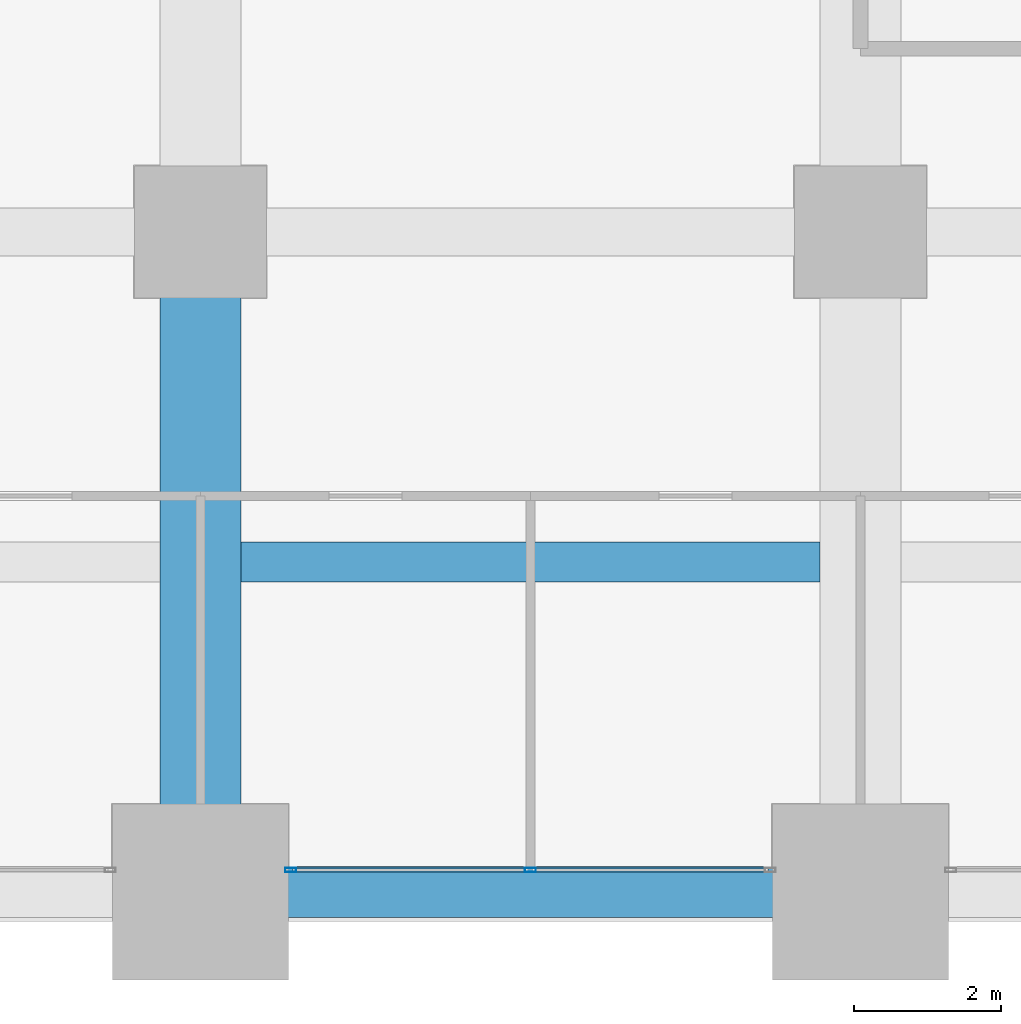
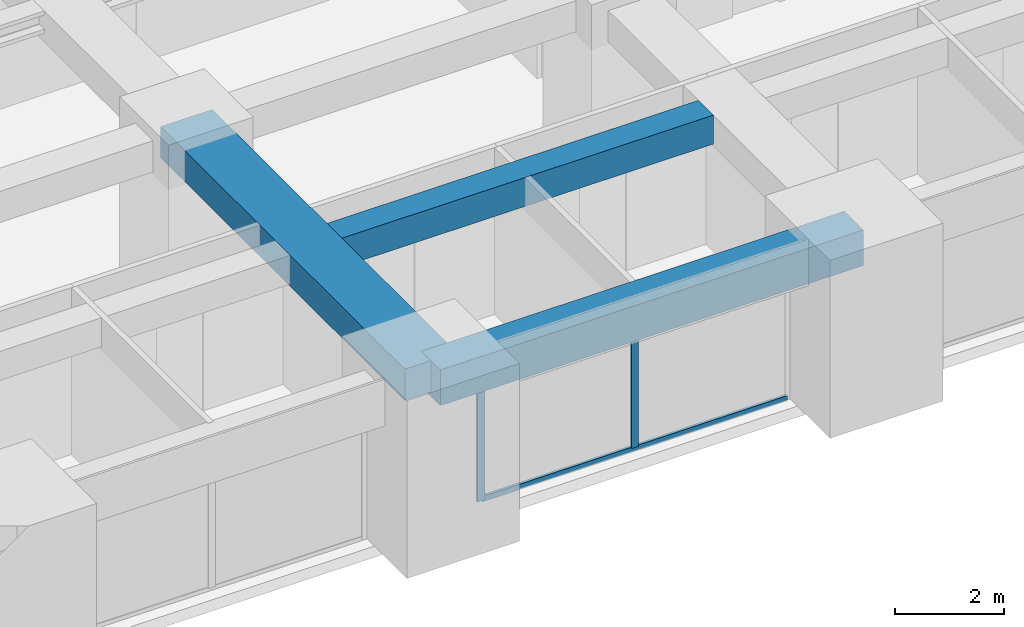
# One storey, part 7 of 40: 3 beams, 3 members, 1 element without a shape of its own.
"""IFC4 building model written with IfcOpenShell, lengths in metres."""

from ifc_helpers import new_model, si_unit, direction, frame, origin, origin_2d, place, context, subcontext, project, spatial, rectangle, hollow_rectangle, extrude, material, material_profile, profile_set, type_object, element, aggregate, save


model = new_model("IFC4")

# Units and contexts
model_context = context("Model", 3, precision=1e-05, world=origin(), true_north=direction((0.0, 1.0)))
body_context = subcontext(model_context, "Body", "Model", "MODEL_VIEW")
ifc_project = project(units=[si_unit("LENGTHUNIT", "METRE"), si_unit("AREAUNIT", "SQUARE_METRE"), si_unit("VOLUMEUNIT", "CUBIC_METRE"), si_unit("PLANEANGLEUNIT", "RADIAN"), si_unit("MASSUNIT", "GRAM", prefix="KILO")], contexts=[model_context])

# Site, building, storey
site_placement = place(None, origin())
site = spatial("IfcSite", under=ifc_project, at=site_placement, CompositionType="ELEMENT")
building_placement = place(site_placement, origin())
building = spatial("IfcBuilding", under=site, at=building_placement, Name="Zorevar Civic Tower", CompositionType="ELEMENT")
storey_placement = place(building_placement, frame((0.0, 0.0, 129.0)))
storey = spatial("IfcBuildingStorey", under=building, at=storey_placement, Name="L31", CompositionType="ELEMENT", Elevation=129.0)

# Beams
ifc_material_1 = material(Name="Concrete C50/60", Category="concrete")
ifc_material_profile_1 = material_profile(ifc_material_1, rectangle(XDim=1.10009765625, YDim=0.699951171875, at=origin_2d()), Name="RC 1100x700")
ifc_profile_set_1 = profile_set([ifc_material_profile_1], Name="Concrete C50/60")
beam_type_1 = type_object("IfcBeamType", Name="Beam RC 1100x700", PredefinedType="BEAM", material=ifc_profile_set_1)
beam_1_placement = place(storey_placement, frame((27.0, 0.0, 3.39990234375), z_axis=(0.0, 1.0, 0.0), x_axis=(-1.0, 0.0, 0.0)))
element("IfcBeam", 1, at=beam_1_placement, inside=storey, type_object=beam_type_1, Name="Girder L32", PredefinedType="BEAM", context=body_context, shape_type="SweptSolid", body=[
    extrude(rectangle(XDim=1.10009765625, YDim=0.699951171875, at=origin_2d()), origin(), (0.0, 0.0, 1.0), 9.0),
])
ifc_material_2 = material(Name="Concrete C50/60", Category="concrete")
ifc_material_profile_2 = material_profile(ifc_material_2, rectangle(XDim=0.550048828125, YDim=0.64990234375, at=origin_2d()), Name="RC 550x650")
ifc_profile_set_2 = profile_set([ifc_material_profile_2], Name="Concrete C50/60")
beam_type_2 = type_object("IfcBeamType", Name="Beam RC 550x650", PredefinedType="BEAM", material=ifc_profile_set_2)
beam_2_placement = place(storey_placement, frame((27.550048828125, 4.5, 3.425048828125), z_axis=(1.0, 0.0, 0.0), x_axis=(0.0, 1.0, 0.0)))
element("IfcBeam", 2, at=beam_2_placement, inside=storey, type_object=beam_type_2, Name="Secondary beam L32", PredefinedType="BEAM", context=body_context, shape_type="SweptSolid", body=[
    extrude(rectangle(XDim=0.550048828125, YDim=0.64990234375, at=origin_2d()), origin(), (0.0, 0.0, 1.0), 7.89990234375),
])

# Curtain wall, members
ifc_material_3 = material(Name="Dark grey solar-control glass in black aluminium frame", Category="aluminium")
curtain_wall_type = type_object("IfcCurtainWallType", Name="Curtain wall CW3 mid zone", PredefinedType="NOTDEFINED", material=ifc_material_3)
curtain_wall_placement = place(storey_placement, origin())
curtain_wall = element("IfcCurtainWall", 3, at=curtain_wall_placement, inside=storey, type_object=curtain_wall_type, Name="CW3 L31", PredefinedType="NOTDEFINED")
ifc_material_4 = material(Name="Aluminium, black anodised", Category="aluminium")
ifc_material_profile_3 = material_profile(ifc_material_4, hollow_rectangle(XDim=0.06005859375, YDim=0.14990234375, WallThickness=0.00390625, at=origin_2d()), Name="AL 150x60x4")
ifc_profile_set_3 = profile_set([ifc_material_profile_3], Name="Aluminium, black anodised")
member_type_1 = type_object("IfcMemberType", Name="CW3 mullion AL 150x60x4", PredefinedType="MULLION", material=ifc_profile_set_3)
member_1_placement = place(storey_placement, frame((28.22998046875, 0.300048828125, 0.0), z_axis=(0.0, 0.0, 1.0), x_axis=(0.0, 1.0, 0.0)))
member_1 = element("IfcMember", 4, at=member_1_placement, type_object=member_type_1, Name="CW3 mullion 1", PredefinedType="MULLION", context=body_context, shape_type="SweptSolid", body=[
    extrude(hollow_rectangle(XDim=0.06005859375, YDim=0.14990234375, WallThickness=0.00390625, at=origin_2d()), origin(), (0.0, 0.0, 1.0), 2.949951171875),
])
member_2_placement = place(storey_placement, frame((31.5, 0.300048828125, 0.06005859375), z_axis=(0.0, 0.0, 1.0), x_axis=(0.0, 1.0, 0.0)))
member_2 = element("IfcMember", 5, at=member_2_placement, type_object=member_type_1, Name="CW3 mullion 2", PredefinedType="MULLION", context=body_context, shape_type="SweptSolid", body=[
    extrude(hollow_rectangle(XDim=0.06005859375, YDim=0.14990234375, WallThickness=0.00390625, at=origin_2d()), origin(), (0.0, 0.0, 1.0), 2.889892578125),
])
ifc_material_5 = material(Name="Aluminium, black anodised", Category="aluminium")
ifc_material_profile_4 = material_profile(ifc_material_5, hollow_rectangle(XDim=0.06005859375, YDim=0.1201171875, WallThickness=0.0029296875, at=origin_2d()), Name="AL 120x60x3")
ifc_profile_set_4 = profile_set([ifc_material_profile_4], Name="Aluminium, black anodised")
member_type_2 = type_object("IfcMemberType", Name="CW3 transom AL 120x60x3", PredefinedType="USERDEFINED", material=ifc_profile_set_4)
member_3_placement = place(storey_placement, frame((28.260009765625, 0.300048828125, 0.030029296875), z_axis=(1.0, 0.0, 0.0), x_axis=(0.0, 1.0, 0.0)))
member_3 = element("IfcMember", 6, at=member_3_placement, type_object=member_type_2, Name="CW3 sill transom", ObjectType="TRANSOM", PredefinedType="USERDEFINED", context=body_context, shape_type="SweptSolid", body=[
    extrude(hollow_rectangle(XDim=0.06005859375, YDim=0.1201171875, WallThickness=0.0029296875, at=origin_2d()), origin(), (0.0, 0.0, 1.0), 6.47998046875),
])
aggregate(curtain_wall, [member_1, member_2, member_3])

# Beam
ifc_material_6 = material(Name="Concrete C50/60", Category="concrete")
ifc_material_profile_5 = material_profile(ifc_material_6, rectangle(XDim=0.699951171875, YDim=0.800048828125, at=origin_2d()), Name="RC 700x800")
ifc_profile_set_5 = profile_set([ifc_material_profile_5], Name="Concrete C50/60")
beam_type_3 = type_object("IfcBeamType", Name="Edge beam RC 700x800", PredefinedType="SPANDREL", material=ifc_profile_set_5)
beam_3_placement = place(storey_placement, frame((27.0, 0.0, 3.35009765625), z_axis=(1.0, 0.0, 0.0), x_axis=(0.0, 1.0, 0.0)))
element("IfcBeam", 7, at=beam_3_placement, inside=storey, type_object=beam_type_3, Name="Edge beam L32", PredefinedType="SPANDREL", context=body_context, shape_type="SweptSolid", body=[
    extrude(rectangle(XDim=0.699951171875, YDim=0.800048828125, at=origin_2d()), origin(), (0.0, 0.0, 1.0), 9.0),
])

save(model, "model.ifc")
